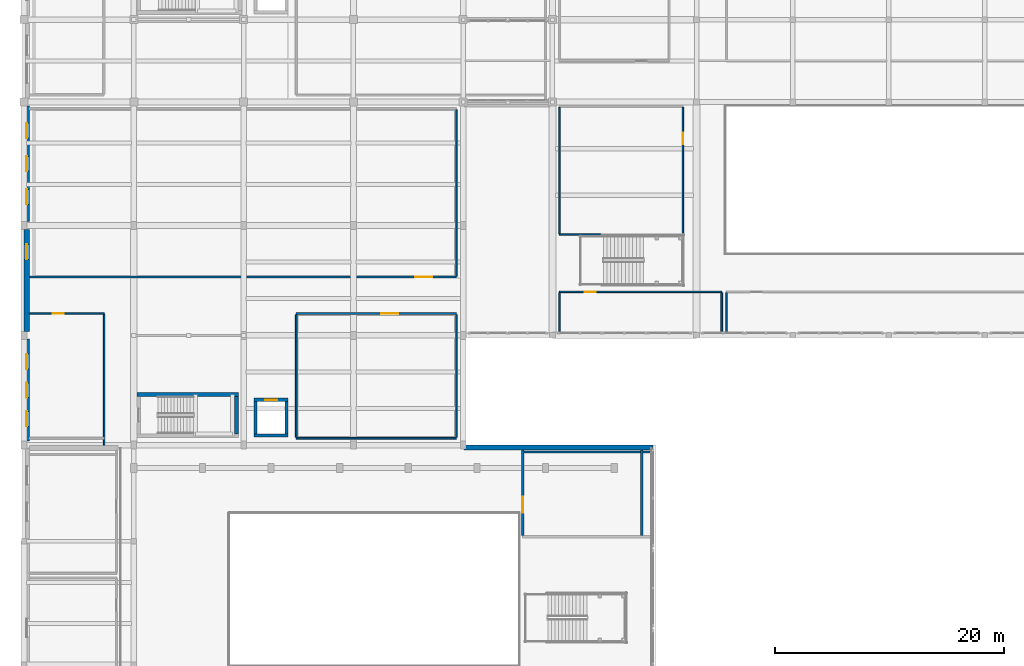
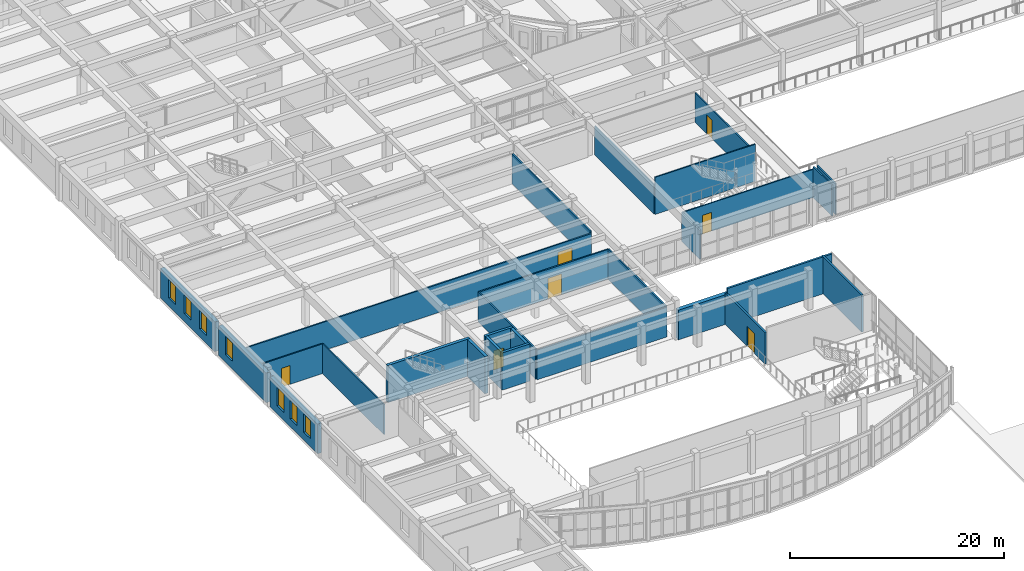
# One storey, part 64 of 92: 28 walls, 7 doors, 7 windows, 14 openings.
"""IFC4 building model written with IfcOpenShell, lengths in metres."""

from ifc_helpers import new_model, si_unit, direction, frame, frame_2d, origin, place, context, subcontext, project, spatial, rectangle, extrude, material, layer, layer_set, type_object, element, fill, save


model = new_model("IFC4")

# Units and contexts
model_context = context("Model", 3, precision=1e-05, world=origin(), true_north=direction((0.0, 1.0)))
body_context = subcontext(model_context, "Body", "Model", "MODEL_VIEW")
ifc_project = project(units=[si_unit("LENGTHUNIT", "METRE"), si_unit("AREAUNIT", "SQUARE_METRE"), si_unit("VOLUMEUNIT", "CUBIC_METRE"), si_unit("PLANEANGLEUNIT", "RADIAN"), si_unit("MASSUNIT", "GRAM", prefix="KILO")], contexts=[model_context])

# Site, building, storey
site_placement = place(None, origin())
site = spatial("IfcSite", under=ifc_project, at=site_placement, CompositionType="ELEMENT")
building_placement = place(site_placement, origin())
building = spatial("IfcBuilding", under=site, at=building_placement, Name="Tarnavel Promenade Courthouse", CompositionType="ELEMENT")
storey_placement = place(building_placement, frame((0.0, 0.0, 5.39990234375)))
storey = spatial("IfcBuildingStorey", under=building, at=storey_placement, Name="L02", CompositionType="ELEMENT", Elevation=5.39990234375)

# Wall, opening, door
ifc_material_1 = material(Name="Acoustic Insulated Gypsum Stud Partition", Category="gypsum")
ifc_layer_1 = layer(ifc_material_1, 0.14990234375)
ifc_layer_set_1 = layer_set([ifc_layer_1], Name="Acoustic Insulated Gypsum Stud Partition")
wall_type_1 = type_object("IfcWallType", Name="Acoustic Insulated Gypsum Stud Partition WL-LIB-150 (150 mm)", PredefinedType="PARTITIONING", material=ifc_layer_set_1)
wall_1_placement = place(storey_placement, frame((37.800048828125, 51.89990234375, 0.0), z_axis=(0.0, 0.0, 1.0), x_axis=(-1.0, 0.0, 0.0)))
wall_1 = element("IfcWall", 1, at=wall_1_placement, inside=storey, type_object=wall_type_1, Name="L02 Law Library Reading Room Main Salon Partition 0299", PredefinedType="PARTITIONING", context=body_context, shape_type="SweptSolid", body=[
    extrude(rectangle(XDim=37.345947265625, YDim=0.14990234375, at=frame_2d((18.6728515625, 0.0))), origin(), (0.0, 0.0, 1.0), 3.22998046875),
])
opening_1_placement = place(wall_1_placement, frame((2.107421875, 0.0, 0.0)))
opening_1 = element("IfcOpeningElement", 2, at=opening_1_placement, cuts=wall_1, Name="Opening ID-05", PredefinedType="OPENING", context=body_context, shape_type="SweptSolid", body=[
    extrude(rectangle(XDim=1.5, YDim=2.35009765625, at=frame_2d((0.75, 1.175048828125))), frame((0.0, 0.0849609375, 0.0), z_axis=(0.0, -1.0, 0.0), x_axis=(1.0, 0.0, 0.0)), (0.0, 0.0, 1.0), 0.169921875),
])
ifc_material_2 = material(Name="Glazed Oak Law Library Double Door")
door_type_1 = type_object("IfcDoorType", Name="Glazed Oak Law Library Double Door (DR-LIB-1500x2350)", OperationType="NOTDEFINED", PredefinedType="DOOR", material=ifc_material_2)
door_1_placement = place(opening_1_placement, origin())
door_1 = element("IfcDoor", 3, at=door_1_placement, inside=storey, type_object=door_type_1, Name="L02 Law Library Reading Room Main Salon Door 0085", OperationType="DOUBLE_DOOR_SINGLE_SWING", OverallHeight=2.35009765625, OverallWidth=1.5, PredefinedType="DOOR", context=body_context, shape_type="SweptSolid", body=[
    extrude(rectangle(XDim=1.5, YDim=2.35009765625, at=frame_2d((0.75, 1.175048828125))), frame((0.0, 0.02490234375, 0.0), z_axis=(0.0, -1.0, 0.0), x_axis=(1.0, 0.0, 0.0)), (0.0, 0.0, 1.0), 0.050048828125),
])
fill(opening_1, door_1)

# Wall
wall_2_placement = place(storey_placement, frame((37.800048828125, 66.514892578125, 0.0), z_axis=(0.0, 0.0, 1.0), x_axis=(0.0, -1.0, 0.0)))
element("IfcWall", 4, at=wall_2_placement, inside=storey, type_object=wall_type_1, Name="L02 Law Library Reading Room Main Salon Partition 0300", PredefinedType="PARTITIONING", context=body_context, shape_type="SweptSolid", body=[
    extrude(rectangle(XDim=14.52978515625, YDim=0.14990234375, at=frame_2d((7.264892578125, 0.0))), origin(), (0.0, 0.0, 1.0), 3.43017578125),
])

# Wall, opening, door
wall_3_placement = place(storey_placement, frame((23.800048828125, 48.699951171875, 0.0), z_axis=(0.0, 0.0, 1.0), x_axis=(1.0, 0.0, 0.0)))
wall_3 = element("IfcWall", 5, at=wall_3_placement, inside=storey, type_object=wall_type_1, Name="L02 Law Library Book Stacks Statutes Collection Partition 0304", PredefinedType="PARTITIONING", context=body_context, shape_type="SweptSolid", body=[
    extrude(rectangle(XDim=14.0, YDim=0.14990234375, at=frame_2d((7.0, 0.0))), origin(), (0.0, 0.0, 1.0), 3.380126953125),
])
opening_2_placement = place(wall_3_placement, frame((7.429931640625, 0.0, 0.0)))
opening_2 = element("IfcOpeningElement", 6, at=opening_2_placement, cuts=wall_3, Name="Opening ID-05", PredefinedType="OPENING", context=body_context, shape_type="SweptSolid", body=[
    extrude(rectangle(XDim=1.5, YDim=2.35009765625, at=frame_2d((0.75, 1.175048828125))), frame((0.0, 0.0849609375, 0.0), z_axis=(0.0, -1.0, 0.0), x_axis=(1.0, 0.0, 0.0)), (0.0, 0.0, 1.0), 0.169921875),
])
door_2_placement = place(opening_2_placement, origin())
door_2 = element("IfcDoor", 7, at=door_2_placement, inside=storey, type_object=door_type_1, Name="L02 Law Library Book Stacks Statutes Collection Door 0087", OperationType="DOUBLE_DOOR_SINGLE_SWING", OverallHeight=2.35009765625, OverallWidth=1.5, PredefinedType="DOOR", context=body_context, shape_type="SweptSolid", body=[
    extrude(rectangle(XDim=1.5, YDim=2.35009765625, at=frame_2d((0.75, 1.175048828125))), frame((0.0, 0.02490234375, 0.0), z_axis=(0.0, -1.0, 0.0), x_axis=(1.0, 0.0, 0.0)), (0.0, 0.0, 1.0), 0.050048828125),
])
fill(opening_2, door_2)

# Walls
wall_4_placement = place(storey_placement, frame((37.800048828125, 37.800048828125, 0.0), z_axis=(0.0, 0.0, 1.0), x_axis=(-1.0, 0.0, 0.0)))
element("IfcWall", 8, at=wall_4_placement, inside=storey, type_object=wall_type_1, Name="L02 Law Library Book Stacks Statutes Collection Partition 0305", PredefinedType="PARTITIONING", context=body_context, shape_type="SweptSolid", body=[
    extrude(rectangle(XDim=14.0, YDim=0.14990234375, at=frame_2d((7.0, 0.0))), origin(), (0.0, 0.0, 1.0), 3.380126953125),
])
for number, where, z_axis, x_axis, name in (
    (9, (23.800048828125, 37.885009765625, 0.0), (0.0, 0.0, 1.0), (0.0, 1.0, 0.0), "L02 Law Library Book Stacks Statutes Collection Partition 0306"),
    (10, (37.800048828125, 48.614990234375, 0.0), (0.0, 0.0, 1.0), (0.0, -1.0, 0.0), "L02 Law Library Book Stacks Statutes Collection Partition 0307"),
):
    element("IfcWall", number, at=place(storey_placement, frame(where, z_axis=z_axis, x_axis=x_axis)), inside=storey, type_object=wall_type_1, Name=name, PredefinedType="PARTITIONING", context=body_context, shape_type="SweptSolid", body=[
        extrude(rectangle(XDim=10.72998046875, YDim=0.14990234375, at=frame_2d((5.364990234375, 0.0))), origin(), (0.0, 0.0, 1.0), 3.43017578125),
    ])

# Wall, opening, door
ifc_material_3 = material(Name="Concrete C40/50", Category="concrete")
ifc_layer_2 = layer(ifc_material_3, 0.280029296875)
ifc_layer_set_2 = layer_set([ifc_layer_2], Name="Concrete C40/50")
wall_type_2 = type_object("IfcWallType", Name="Concrete C40/50 WL-SHR-280 (280 mm)", PredefinedType="SHEAR", material=ifc_layer_set_2)
wall_5_placement = place(storey_placement, frame((20.10009765625, 41.159912109375, 0.0), z_axis=(0.0, 0.0, 1.0), x_axis=(1.0, 0.0, 0.0)))
wall_5 = element("IfcWall", 11, at=wall_5_placement, inside=storey, type_object=wall_type_2, Name="L02 L-LIB1 Lift Shaft North Wall", PredefinedType="SHEAR", context=body_context, shape_type="SweptSolid", body=[
    extrude(rectangle(XDim=3.0, YDim=0.280029296875, at=frame_2d((1.5, 0.0))), origin(), (0.0, 0.0, 1.0), 4.239990234375),
])
opening_3_placement = place(wall_5_placement, frame((0.97509765625, 0.0, 0.0)))
opening_3 = element("IfcOpeningElement", 12, at=opening_3_placement, cuts=wall_5, Name="Opening LD-02", PredefinedType="OPENING", context=body_context, shape_type="SweptSolid", body=[
    extrude(rectangle(XDim=1.050048828125, YDim=2.199951171875, at=frame_2d((0.52490234375, 1.10009765625))), frame((0.0, 0.14990234375, 0.0), z_axis=(0.0, -1.0, 0.0), x_axis=(1.0, 0.0, 0.0)), (0.0, 0.0, 1.0), 0.300048828125),
])
ifc_material_4 = material(Name="Brushed Bronze Passenger Lift Landing Sliding Door")
door_type_2 = type_object("IfcDoorType", Name="Brushed Bronze Passenger Lift Landing Sliding Door (LD-PUB-1050x2200)", OperationType="NOTDEFINED", PredefinedType="DOOR", material=ifc_material_4)
door_3_placement = place(opening_3_placement, origin())
door_3 = element("IfcDoor", 13, at=door_3_placement, inside=storey, type_object=door_type_2, Name="L02 L-LIB1 Lift Sliding Landing Door", OperationType="DOUBLE_DOOR_SLIDING", OverallHeight=2.199951171875, OverallWidth=1.050048828125, PredefinedType="DOOR", context=body_context, shape_type="SweptSolid", body=[
    extrude(rectangle(XDim=1.050048828125, YDim=2.199951171875, at=frame_2d((0.52490234375, 1.10009765625))), frame((0.0, 0.02490234375, 0.0), z_axis=(0.0, -1.0, 0.0), x_axis=(1.0, 0.0, 0.0)), (0.0, 0.0, 1.0), 0.050048828125),
])
fill(opening_3, door_3)

# Walls
wall_6_placement = place(storey_placement, frame((23.10009765625, 38.0400390625, 0.0), z_axis=(0.0, 0.0, 1.0), x_axis=(-1.0, 0.0, 0.0)))
element("IfcWall", 14, at=wall_6_placement, inside=storey, type_object=wall_type_2, Name="L02 L-LIB1 Lift Shaft South Wall", PredefinedType="SHEAR", context=body_context, shape_type="SweptSolid", body=[
    extrude(rectangle(XDim=3.0, YDim=0.280029296875, at=frame_2d((1.5, 0.0))), origin(), (0.0, 0.0, 1.0), 4.239990234375),
])
for number, where, z_axis, x_axis, name in (
    (15, (20.239990234375, 38.179931640625, 0.0), (0.0, 0.0, 1.0), (0.0, 1.0, 0.0), "L02 L-LIB1 Lift Shaft West Wall"),
    (16, (22.9599609375, 41.02001953125, 0.0), (0.0, 0.0, 1.0), (0.0, -1.0, 0.0), "L02 L-LIB1 Lift Shaft East Wall"),
):
    element("IfcWall", number, at=place(storey_placement, frame(where, z_axis=z_axis, x_axis=x_axis)), inside=storey, type_object=wall_type_2, Name=name, PredefinedType="SHEAR", context=body_context, shape_type="SweptSolid", body=[
        extrude(rectangle(XDim=2.840087890625, YDim=0.280029296875, at=frame_2d((1.419921875, 0.0))), origin(), (0.0, 0.0, 1.0), 4.239990234375),
    ])
ifc_layer_3 = layer(ifc_material_3, 0.320068359375)
ifc_layer_set_3 = layer_set([ifc_layer_3], Name="Concrete C40/50")
wall_type_3 = type_object("IfcWallType", Name="Concrete C40/50 WL-SHR-320 (320 mm)", PredefinedType="SHEAR", material=ifc_layer_set_3)
wall_7_placement = place(storey_placement, frame((9.860107421875, 41.6201171875, 0.0), z_axis=(0.0, 0.0, 1.0), x_axis=(1.0, 0.0, 0.0)))
element("IfcWall", 17, at=wall_7_placement, inside=storey, type_object=wall_type_3, Name="L02 ST-05 Shear Core North Wall", PredefinedType="SHEAR", context=body_context, shape_type="SweptSolid", body=[
    extrude(rectangle(XDim=8.8798828125, YDim=0.320068359375, at=frame_2d((4.43994140625, 0.0))), origin(), (0.0, 0.0, 1.0), 4.239990234375),
])
wall_8_placement = place(storey_placement, frame((18.580078125, 41.4599609375, 0.0), z_axis=(0.0, 0.0, 1.0), x_axis=(0.0, -1.0, 0.0)))
element("IfcWall", 18, at=wall_8_placement, inside=storey, type_object=wall_type_3, Name="L02 ST-05 Shear Core East Wall", PredefinedType="SHEAR", context=body_context, shape_type="SweptSolid", body=[
    extrude(rectangle(XDim=3.280029296875, YDim=0.320068359375, at=frame_2d((1.64013671875, 0.0))), origin(), (0.0, 0.0, 1.0), 4.239990234375),
])
ifc_material_5 = material(Name="Concrete Masonry Fire Compartment Wall", Category="masonry")
ifc_layer_4 = layer(ifc_material_5, 0.205078125)
ifc_layer_set_4 = layer_set([ifc_layer_4], Name="Concrete Masonry Fire Compartment Wall")
wall_type_4 = type_object("IfcWallType", Name="Concrete Masonry Fire Compartment Wall WL-CMP-205 (205 mm)", PredefinedType="STANDARD", material=ifc_layer_set_4)
wall_9_placement = place(storey_placement, frame((43.60009765625, 36.60009765625, 0.0), z_axis=(0.0, 0.0, 1.0), x_axis=(1.0, 0.0, 0.0)))
element("IfcWall", 19, at=wall_9_placement, inside=storey, type_object=wall_type_4, Name="L02 First Balcony Judicial Archives Reference Room Partition 0308", PredefinedType="STANDARD", context=body_context, shape_type="SweptSolid", body=[
    extrude(rectangle(XDim=11.289794921875, YDim=0.205078125, at=frame_2d((5.64501953125, 0.0))), origin(), (0.0, 0.0, 1.0), 4.22509765625),
])

# Wall, opening, door
wall_10_placement = place(storey_placement, frame((43.60009765625, 29.3125, 0.0), z_axis=(0.0, 0.0, 1.0), x_axis=(0.0, 1.0, 0.0)))
wall_10 = element("IfcWall", 20, at=wall_10_placement, inside=storey, type_object=wall_type_4, Name="L02 First Balcony Judicial Archives Reference Room Partition 0310", PredefinedType="STANDARD", context=body_context, shape_type="SweptSolid", body=[
    extrude(rectangle(XDim=7.45361328125, YDim=0.205078125, at=frame_2d((3.726806640625, 0.0))), origin(), (0.0, 0.0, 1.0), 3.570068359375),
])
opening_4_placement = place(wall_10_placement, frame((1.9560546875, 0.0, 0.0)))
opening_4 = element("IfcOpeningElement", 21, at=opening_4_placement, cuts=wall_10, Name="Opening FD-04", PredefinedType="OPENING", context=body_context, shape_type="SweptSolid", body=[
    extrude(rectangle(XDim=1.39990234375, YDim=2.25, at=frame_2d((0.699951171875, 1.125))), frame((0.0, 0.112548828125, 0.0), z_axis=(0.0, -1.0, 0.0), x_axis=(1.0, 0.0, 0.0)), (0.0, 0.0, 1.0), 0.22509765625),
])
ifc_material_6 = material(Name="Heavy Steel Plant Room Fire Door", Category="steel")
door_type_3 = type_object("IfcDoorType", Name="Heavy Steel Plant Room Fire Door (DR-PLT-1400x2250)", OperationType="NOTDEFINED", PredefinedType="DOOR", material=ifc_material_6)
door_4_placement = place(opening_4_placement, origin())
door_4 = element("IfcDoor", 22, at=door_4_placement, inside=storey, type_object=door_type_3, Name="L02 First Balcony Judicial Archives Reference Room Door 0088", OperationType="SINGLE_SWING_LEFT", OverallHeight=2.25, OverallWidth=1.39990234375, PredefinedType="DOOR", context=body_context, shape_type="SweptSolid", body=[
    extrude(rectangle(XDim=1.39990234375, YDim=2.25, at=frame_2d((0.699951171875, 1.125))), frame((0.0, 0.02490234375, 0.0), z_axis=(0.0, -1.0, 0.0), x_axis=(1.0, 0.0, 0.0)), (0.0, 0.0, 1.0), 0.050048828125),
])
fill(opening_4, door_4)

# Wall
wall_11_placement = place(storey_placement, frame((54.0, 36.76611328125, 0.0), z_axis=(0.0, 0.0, 1.0), x_axis=(0.0, -1.0, 0.0)))
element("IfcWall", 23, at=wall_11_placement, inside=storey, type_object=wall_type_4, Name="L02 First Balcony Judicial Archives Reference Room Partition 0311", PredefinedType="STANDARD", context=body_context, shape_type="SweptSolid", body=[
    extrude(rectangle(XDim=7.45361328125, YDim=0.205078125, at=frame_2d((3.726806640625, 0.0))), origin(), (0.0, 0.0, 1.0), 4.22509765625),
])

# Wall, openings, windows
ifc_material_7 = material(Name="Limestone Ashlar Faced Insulated Brick Masonry", Category="masonry")
ifc_layer_5 = layer(ifc_material_7, 0.43994140625)
ifc_layer_set_5 = layer_set([ifc_layer_5], Name="Limestone Ashlar Faced Insulated Brick Masonry")
wall_type_5 = type_object("IfcWallType", Name="Limestone Ashlar Faced Insulated Brick Masonry WL-EXT-440 (440 mm)", PredefinedType="STANDARD", material=ifc_layer_set_5)
wall_12_placement = place(storey_placement, frame((0.239990234375, 37.5419921875, 0.0), z_axis=(0.0, 0.0, 1.0), x_axis=(0.0, 1.0, 0.0)))
wall_12 = element("IfcWall", 24, at=wall_12_placement, inside=storey, type_object=wall_type_5, Name="L02 Law Library West Brick Facade 0340", PredefinedType="STANDARD", context=body_context, shape_type="SweptSolid", body=[
    extrude(rectangle(XDim=8.916015625, YDim=0.43994140625, at=frame_2d((4.4580078125, 0.0))), origin(), (0.0, 0.0, 1.0), 3.380126953125),
])
opening_5_placement = place(wall_12_placement, frame((1.30810546875, 0.0, 0.89990234375)))
opening_5 = element("IfcOpeningElement", 25, at=opening_5_placement, cuts=wall_12, Name="Opening W-06", PredefinedType="OPENING", context=body_context, shape_type="SweptSolid", body=[
    extrude(rectangle(XDim=1.300048828125, YDim=2.10009765625, at=frame_2d((0.64990234375, 1.050048828125))), frame((0.0, 0.22998046875, 0.0), z_axis=(0.0, -1.0, 0.0), x_axis=(1.0, 0.0, 0.0)), (0.0, 0.0, 1.0), 0.4599609375),
])
opening_6_placement = place(wall_12_placement, frame((3.80810546875, 0.0, 0.89990234375)))
opening_6 = element("IfcOpeningElement", 26, at=opening_6_placement, cuts=wall_12, Name="Opening W-06", PredefinedType="OPENING", context=body_context, shape_type="SweptSolid", body=[
    extrude(rectangle(XDim=1.300048828125, YDim=2.10009765625, at=frame_2d((0.64990234375, 1.050048828125))), frame((0.0, 0.22998046875, 0.0), z_axis=(0.0, -1.0, 0.0), x_axis=(1.0, 0.0, 0.0)), (0.0, 0.0, 1.0), 0.4599609375),
])
opening_7_placement = place(wall_12_placement, frame((6.30810546875, 0.0, 0.89990234375)))
opening_7 = element("IfcOpeningElement", 27, at=opening_7_placement, cuts=wall_12, Name="Opening W-06", PredefinedType="OPENING", context=body_context, shape_type="SweptSolid", body=[
    extrude(rectangle(XDim=1.300048828125, YDim=2.10009765625, at=frame_2d((0.64990234375, 1.050048828125))), frame((0.0, 0.22998046875, 0.0), z_axis=(0.0, -1.0, 0.0), x_axis=(1.0, 0.0, 0.0)), (0.0, 0.0, 1.0), 0.4599609375),
])
ifc_material_8 = material(Name="Triple Low-E Glazed Bronze-Clad Window Assembly")
window_type = type_object("IfcWindowType", Name="Triple-Glazed Bronze-Clad Timber-Aluminium WIN-LIB-1300x2100", PartitioningType="SINGLE_PANEL", PredefinedType="WINDOW", material=ifc_material_8)
window_1_placement = place(opening_5_placement, origin())
window_1 = element("IfcWindow", 28, at=window_1_placement, inside=storey, type_object=window_type, Name="L02 Exterior Window 0393", OverallHeight=2.10009765625, OverallWidth=1.300048828125, PartitioningType="SINGLE_PANEL", PredefinedType="WINDOW", context=body_context, shape_type="SweptSolid", body=[
    extrude(rectangle(XDim=1.300048828125, YDim=2.10009765625, at=frame_2d((0.64990234375, 1.050048828125))), frame((0.0, 0.030029296875, 0.0), z_axis=(0.0, -1.0, 0.0), x_axis=(1.0, 0.0, 0.0)), (0.0, 0.0, 1.0), 0.06005859375),
])
fill(opening_5, window_1)
window_2_placement = place(opening_6_placement, origin())
window_2 = element("IfcWindow", 29, at=window_2_placement, inside=storey, type_object=window_type, Name="L02 Exterior Window 0394", OverallHeight=2.10009765625, OverallWidth=1.300048828125, PartitioningType="SINGLE_PANEL", PredefinedType="WINDOW", context=body_context, shape_type="SweptSolid", body=[
    extrude(rectangle(XDim=1.300048828125, YDim=2.10009765625, at=frame_2d((0.64990234375, 1.050048828125))), frame((0.0, 0.030029296875, 0.0), z_axis=(0.0, -1.0, 0.0), x_axis=(1.0, 0.0, 0.0)), (0.0, 0.0, 1.0), 0.06005859375),
])
fill(opening_6, window_2)
window_3_placement = place(opening_7_placement, origin())
window_3 = element("IfcWindow", 30, at=window_3_placement, inside=storey, type_object=window_type, Name="L02 Exterior Window 0395", OverallHeight=2.10009765625, OverallWidth=1.300048828125, PartitioningType="SINGLE_PANEL", PredefinedType="WINDOW", context=body_context, shape_type="SweptSolid", body=[
    extrude(rectangle(XDim=1.300048828125, YDim=2.10009765625, at=frame_2d((0.64990234375, 1.050048828125))), frame((0.0, 0.030029296875, 0.0), z_axis=(0.0, -1.0, 0.0), x_axis=(1.0, 0.0, 0.0)), (0.0, 0.0, 1.0), 0.06005859375),
])
fill(opening_7, window_3)

# Wall, opening, window
wall_13_placement = place(storey_placement, frame((0.239990234375, 47.14208984375, 0.0), z_axis=(0.0, 0.0, 1.0), x_axis=(0.0, 1.0, 0.0)))
wall_13 = element("IfcWall", 31, at=wall_13_placement, inside=storey, type_object=wall_type_5, Name="L02 Law Library West Brick Facade 0341", PredefinedType="STANDARD", context=body_context, shape_type="SweptSolid", body=[
    extrude(rectangle(XDim=8.916015625, YDim=0.43994140625, at=frame_2d((4.4580078125, 0.0))), origin(), (0.0, 0.0, 1.0), 3.380126953125),
])
opening_8_placement = place(wall_13_placement, frame((6.30810546875, 0.0, 0.89990234375)))
opening_8 = element("IfcOpeningElement", 32, at=opening_8_placement, cuts=wall_13, Name="Opening W-06", PredefinedType="OPENING", context=body_context, shape_type="SweptSolid", body=[
    extrude(rectangle(XDim=1.300048828125, YDim=2.10009765625, at=frame_2d((0.64990234375, 1.050048828125))), frame((0.0, 0.22998046875, 0.0), z_axis=(0.0, -1.0, 0.0), x_axis=(1.0, 0.0, 0.0)), (0.0, 0.0, 1.0), 0.4599609375),
])
window_4_placement = place(opening_8_placement, origin())
window_4 = element("IfcWindow", 33, at=window_4_placement, inside=storey, type_object=window_type, Name="L02 Exterior Window 0396", OverallHeight=2.10009765625, OverallWidth=1.300048828125, PartitioningType="SINGLE_PANEL", PredefinedType="WINDOW", context=body_context, shape_type="SweptSolid", body=[
    extrude(rectangle(XDim=1.300048828125, YDim=2.10009765625, at=frame_2d((0.64990234375, 1.050048828125))), frame((0.0, 0.030029296875, 0.0), z_axis=(0.0, -1.0, 0.0), x_axis=(1.0, 0.0, 0.0)), (0.0, 0.0, 1.0), 0.06005859375),
])
fill(opening_8, window_4)

# Wall, openings, windows
wall_14_placement = place(storey_placement, frame((0.239990234375, 56.741943359375, 0.0), z_axis=(0.0, 0.0, 1.0), x_axis=(0.0, 1.0, 0.0)))
wall_14 = element("IfcWall", 34, at=wall_14_placement, inside=storey, type_object=wall_type_5, Name="L02 Law Library West Brick Facade 0342", PredefinedType="STANDARD", context=body_context, shape_type="SweptSolid", body=[
    extrude(rectangle(XDim=10.115966796875, YDim=0.43994140625, at=frame_2d((5.05810546875, 0.0))), origin(), (0.0, 0.0, 1.0), 3.380126953125),
])
opening_9_placement = place(wall_14_placement, frame((1.508056640625, 0.0, 0.89990234375)))
opening_9 = element("IfcOpeningElement", 35, at=opening_9_placement, cuts=wall_14, Name="Opening W-06", PredefinedType="OPENING", context=body_context, shape_type="SweptSolid", body=[
    extrude(rectangle(XDim=1.300048828125, YDim=2.10009765625, at=frame_2d((0.64990234375, 1.050048828125))), frame((0.0, 0.22998046875, 0.0), z_axis=(0.0, -1.0, 0.0), x_axis=(1.0, 0.0, 0.0)), (0.0, 0.0, 1.0), 0.4599609375),
])
opening_10_placement = place(wall_14_placement, frame((4.407958984375, 0.0, 0.89990234375)))
opening_10 = element("IfcOpeningElement", 36, at=opening_10_placement, cuts=wall_14, Name="Opening W-06", PredefinedType="OPENING", context=body_context, shape_type="SweptSolid", body=[
    extrude(rectangle(XDim=1.300048828125, YDim=2.10009765625, at=frame_2d((0.64990234375, 1.050048828125))), frame((0.0, 0.22998046875, 0.0), z_axis=(0.0, -1.0, 0.0), x_axis=(1.0, 0.0, 0.0)), (0.0, 0.0, 1.0), 0.4599609375),
])
opening_11_placement = place(wall_14_placement, frame((7.30810546875, 0.0, 0.89990234375)))
opening_11 = element("IfcOpeningElement", 37, at=opening_11_placement, cuts=wall_14, Name="Opening W-06", PredefinedType="OPENING", context=body_context, shape_type="SweptSolid", body=[
    extrude(rectangle(XDim=1.300048828125, YDim=2.10009765625, at=frame_2d((0.64990234375, 1.050048828125))), frame((0.0, 0.22998046875, 0.0), z_axis=(0.0, -1.0, 0.0), x_axis=(1.0, 0.0, 0.0)), (0.0, 0.0, 1.0), 0.4599609375),
])
window_5_placement = place(opening_9_placement, origin())
window_5 = element("IfcWindow", 38, at=window_5_placement, inside=storey, type_object=window_type, Name="L02 Exterior Window 0397", OverallHeight=2.10009765625, OverallWidth=1.300048828125, PartitioningType="SINGLE_PANEL", PredefinedType="WINDOW", context=body_context, shape_type="SweptSolid", body=[
    extrude(rectangle(XDim=1.300048828125, YDim=2.10009765625, at=frame_2d((0.64990234375, 1.050048828125))), frame((0.0, 0.030029296875, 0.0), z_axis=(0.0, -1.0, 0.0), x_axis=(1.0, 0.0, 0.0)), (0.0, 0.0, 1.0), 0.06005859375),
])
fill(opening_9, window_5)
window_6_placement = place(opening_10_placement, origin())
window_6 = element("IfcWindow", 39, at=window_6_placement, inside=storey, type_object=window_type, Name="L02 Exterior Window 0398", OverallHeight=2.10009765625, OverallWidth=1.300048828125, PartitioningType="SINGLE_PANEL", PredefinedType="WINDOW", context=body_context, shape_type="SweptSolid", body=[
    extrude(rectangle(XDim=1.300048828125, YDim=2.10009765625, at=frame_2d((0.64990234375, 1.050048828125))), frame((0.0, 0.030029296875, 0.0), z_axis=(0.0, -1.0, 0.0), x_axis=(1.0, 0.0, 0.0)), (0.0, 0.0, 1.0), 0.06005859375),
])
fill(opening_10, window_6)
window_7_placement = place(opening_11_placement, origin())
window_7 = element("IfcWindow", 40, at=window_7_placement, inside=storey, type_object=window_type, Name="L02 Exterior Window 0399", OverallHeight=2.10009765625, OverallWidth=1.300048828125, PartitioningType="SINGLE_PANEL", PredefinedType="WINDOW", context=body_context, shape_type="SweptSolid", body=[
    extrude(rectangle(XDim=1.300048828125, YDim=2.10009765625, at=frame_2d((0.64990234375, 1.050048828125))), frame((0.0, 0.030029296875, 0.0), z_axis=(0.0, -1.0, 0.0), x_axis=(1.0, 0.0, 0.0)), (0.0, 0.0, 1.0), 0.06005859375),
])
fill(opening_11, window_7)

# Wall
wall_15_placement = place(storey_placement, frame((38.449951171875, 36.97998046875, 0.0), z_axis=(0.0, 0.0, 1.0), x_axis=(1.0, 0.0, 0.0)))
element("IfcWall", 41, at=wall_15_placement, inside=storey, type_object=wall_type_5, Name="L02 Public Drum North-East Courtyard Wall 0437", PredefinedType="STANDARD", context=body_context, shape_type="SweptSolid", body=[
    extrude(rectangle(XDim=16.550048828125, YDim=0.43994140625, at=frame_2d((8.27490234375, 0.0))), origin(), (0.0, 0.0, 1.0), 3.380126953125),
])

# Wall, opening, door
ifc_material_9 = material(Name="Metal-Stud Acoustic Gypsum Partition", Category="gypsum")
ifc_layer_6 = layer(ifc_material_9, 0.135009765625)
ifc_layer_set_6 = layer_set([ifc_layer_6], Name="Metal-Stud Acoustic Gypsum Partition")
wall_type_6 = type_object("IfcWallType", Name="Metal-Stud Acoustic Gypsum Partition WL-OFF-135 (135 mm)", PredefinedType="PARTITIONING", material=ifc_layer_set_6)
wall_16_placement = place(storey_placement, frame((0.4541015625, 48.699951171875, 0.0), z_axis=(0.0, 0.0, 1.0), x_axis=(1.0, 0.0, 0.0)))
wall_16 = element("IfcWall", 42, at=wall_16_placement, inside=storey, type_object=wall_type_6, Name="L02 L02 Legal Scholars' Study Carrels Partition 0301", PredefinedType="PARTITIONING", context=body_context, shape_type="SweptSolid", body=[
    extrude(rectangle(XDim=6.5458984375, YDim=0.135009765625, at=frame_2d((3.27294921875, 0.0))), origin(), (0.0, 0.0, 1.0), 3.380126953125),
])
opening_12_placement = place(wall_16_placement, frame((2.063720703125, 0.0, 0.0)))
opening_12 = element("IfcOpeningElement", 43, at=opening_12_placement, cuts=wall_16, Name="Opening ID-06", PredefinedType="OPENING", context=body_context, shape_type="SweptSolid", body=[
    extrude(rectangle(XDim=0.949951171875, YDim=2.14990234375, at=frame_2d((0.47509765625, 1.074951171875))), frame((0.0, 0.077392578125, 0.0), z_axis=(0.0, -1.0, 0.0), x_axis=(1.0, 0.0, 0.0)), (0.0, 0.0, 1.0), 0.155029296875),
])
ifc_material_10 = material(Name="Acoustic Timber Veneer Office Door", Category="wood")
door_type_4 = type_object("IfcDoorType", Name="Acoustic Timber Veneer Office Door (DR-OFF-0950x2150)", OperationType="NOTDEFINED", PredefinedType="DOOR", material=ifc_material_10)
door_5_placement = place(opening_12_placement, origin())
door_5 = element("IfcDoor", 44, at=door_5_placement, inside=storey, type_object=door_type_4, Name="L02 L02 Legal Scholars' Study Carrels Door 0086", OperationType="SINGLE_SWING_RIGHT", OverallHeight=2.14990234375, OverallWidth=0.949951171875, PredefinedType="DOOR", context=body_context, shape_type="SweptSolid", body=[
    extrude(rectangle(XDim=0.949951171875, YDim=2.14990234375, at=frame_2d((0.47509765625, 1.074951171875))), frame((0.0, 0.02490234375, 0.0), z_axis=(0.0, -1.0, 0.0), x_axis=(1.0, 0.0, 0.0)), (0.0, 0.0, 1.0), 0.050048828125),
])
fill(opening_12, door_5)

# Wall
wall_17_placement = place(storey_placement, frame((7.0, 48.62255859375, 0.0), z_axis=(0.0, 0.0, 1.0), x_axis=(0.0, -1.0, 0.0)))
element("IfcWall", 45, at=wall_17_placement, inside=storey, type_object=wall_type_6, Name="L02 L02 Legal Scholars' Study Carrels Partition 0303", PredefinedType="PARTITIONING", context=body_context, shape_type="SweptSolid", body=[
    extrude(rectangle(XDim=11.448486328125, YDim=0.135009765625, at=frame_2d((5.72412109375, 0.0))), origin(), (0.0, 0.0, 1.0), 3.43017578125),
])

# Wall, opening, door
wall_18_placement = place(storey_placement, frame((46.800048828125, 50.60009765625, 0.0), z_axis=(0.0, 0.0, 1.0), x_axis=(1.0, 0.0, 0.0)))
wall_18 = element("IfcWall", 46, at=wall_18_placement, inside=storey, type_object=wall_type_6, Name="L02 First Balcony Civil Registry Suite Partition 0324", PredefinedType="PARTITIONING", context=body_context, shape_type="SweptSolid", body=[
    extrude(rectangle(XDim=14.199951171875, YDim=0.135009765625, at=frame_2d((7.10009765625, 0.0))), origin(), (0.0, 0.0, 1.0), 3.22998046875),
])
opening_13_placement = place(wall_18_placement, frame((2.232421875, 0.0, 0.0)))
opening_13 = element("IfcOpeningElement", 47, at=opening_13_placement, cuts=wall_18, Name="Opening ID-06", PredefinedType="OPENING", context=body_context, shape_type="SweptSolid", body=[
    extrude(rectangle(XDim=0.949951171875, YDim=2.14990234375, at=frame_2d((0.47509765625, 1.074951171875))), frame((0.0, 0.077392578125, 0.0), z_axis=(0.0, -1.0, 0.0), x_axis=(1.0, 0.0, 0.0)), (0.0, 0.0, 1.0), 0.155029296875),
])
door_6_placement = place(opening_13_placement, origin())
door_6 = element("IfcDoor", 48, at=door_6_placement, inside=storey, type_object=door_type_4, Name="L02 First Balcony Civil Registry Suite Door 0093", OperationType="SINGLE_SWING_LEFT", OverallHeight=2.14990234375, OverallWidth=0.949951171875, PredefinedType="DOOR", context=body_context, shape_type="SweptSolid", body=[
    extrude(rectangle(XDim=0.949951171875, YDim=2.14990234375, at=frame_2d((0.47509765625, 1.074951171875))), frame((0.0, 0.02490234375, 0.0), z_axis=(0.0, -1.0, 0.0), x_axis=(1.0, 0.0, 0.0)), (0.0, 0.0, 1.0), 0.050048828125),
])
fill(opening_13, door_6)

# Walls
wall_19_placement = place(storey_placement, frame((46.800048828125, 47.090087890625, 0.0), z_axis=(0.0, 0.0, 1.0), x_axis=(0.0, 1.0, 0.0)))
element("IfcWall", 49, at=wall_19_placement, inside=storey, type_object=wall_type_6, Name="L02 First Balcony Civil Registry Suite Partition 0325", PredefinedType="PARTITIONING", context=body_context, shape_type="SweptSolid", body=[
    extrude(rectangle(XDim=3.432373046875, YDim=0.135009765625, at=frame_2d((1.71630859375, 0.0))), origin(), (0.0, 0.0, 1.0), 3.330078125),
])
for number, where, z_axis, x_axis, name in (
    (50, (61.0, 50.5224609375, 0.0), (0.0, 0.0, 1.0), (0.0, -1.0, 0.0), "L02 First Balcony Civil Registry Suite Partition 0326"),
    (51, (61.39990234375, 47.090087890625, 0.0), (0.0, 0.0, 1.0), (0.0, 1.0, 0.0), "L02 First Balcony Community Seminar and Exhibition Room Partition 0328"),
):
    element("IfcWall", number, at=place(storey_placement, frame(where, z_axis=z_axis, x_axis=x_axis)), inside=storey, type_object=wall_type_6, Name=name, PredefinedType="PARTITIONING", context=body_context, shape_type="SweptSolid", body=[
        extrude(rectangle(XDim=3.432373046875, YDim=0.135009765625, at=frame_2d((1.71630859375, 0.0))), origin(), (0.0, 0.0, 1.0), 3.530029296875),
    ])
wall_20_placement = place(storey_placement, frame((57.60009765625, 55.60009765625, 0.0), z_axis=(0.0, 0.0, 1.0), x_axis=(-1.0, 0.0, 0.0)))
element("IfcWall", 52, at=wall_20_placement, inside=storey, type_object=wall_type_6, Name="L02 First Balcony Judicial Mediation and Case Conference Salon Partition 0339", PredefinedType="PARTITIONING", context=body_context, shape_type="SweptSolid", body=[
    extrude(rectangle(XDim=10.800048828125, YDim=0.135009765625, at=frame_2d((5.39990234375, 0.0))), origin(), (0.0, 0.0, 1.0), 4.22509765625),
])
wall_21_placement = place(storey_placement, frame((46.800048828125, 55.677490234375, 0.0), z_axis=(0.0, 0.0, 1.0), x_axis=(0.0, 1.0, 0.0)))
element("IfcWall", 53, at=wall_21_placement, inside=storey, type_object=wall_type_6, Name="L02 First Balcony Judicial Mediation and Case Conference Salon Partition 0340", PredefinedType="PARTITIONING", context=body_context, shape_type="SweptSolid", body=[
    extrude(rectangle(XDim=11.044921875, YDim=0.135009765625, at=frame_2d((5.5224609375, 0.0))), origin(), (0.0, 0.0, 1.0), 3.330078125),
])

# Wall, opening, door
wall_22_placement = place(storey_placement, frame((57.60009765625, 66.722412109375, 0.0), z_axis=(0.0, 0.0, 1.0), x_axis=(0.0, -1.0, 0.0)))
wall_22 = element("IfcWall", 54, at=wall_22_placement, inside=storey, type_object=wall_type_6, Name="L02 First Balcony Judicial Mediation and Case Conference Salon Partition 0341", PredefinedType="PARTITIONING", context=body_context, shape_type="SweptSolid", body=[
    extrude(rectangle(XDim=11.044921875, YDim=0.135009765625, at=frame_2d((5.5224609375, 0.0))), origin(), (0.0, 0.0, 1.0), 3.330078125),
])
opening_14_placement = place(wall_22_placement, frame((2.215087890625, 0.0, 0.0)))
opening_14 = element("IfcOpeningElement", 55, at=opening_14_placement, cuts=wall_22, Name="Opening ID-07", PredefinedType="OPENING", context=body_context, shape_type="SweptSolid", body=[
    extrude(rectangle(XDim=1.02001953125, YDim=2.14990234375, at=frame_2d((0.510009765625, 1.074951171875))), frame((0.0, 0.077392578125, 0.0), z_axis=(0.0, -1.0, 0.0), x_axis=(1.0, 0.0, 0.0)), (0.0, 0.0, 1.0), 0.155029296875),
])
ifc_material_11 = material(Name="Acoustic Timber Seminar Room Door", Category="wood")
door_type_5 = type_object("IfcDoorType", Name="Acoustic Timber Seminar Room Door (DR-MTG-1020x2150)", OperationType="NOTDEFINED", PredefinedType="DOOR", material=ifc_material_11)
door_7_placement = place(opening_14_placement, origin())
door_7 = element("IfcDoor", 56, at=door_7_placement, inside=storey, type_object=door_type_5, Name="L02 First Balcony Judicial Mediation and Case Conference Salon Door 0097", OperationType="SINGLE_SWING_LEFT", OverallHeight=2.14990234375, OverallWidth=1.02001953125, PredefinedType="DOOR", context=body_context, shape_type="SweptSolid", body=[
    extrude(rectangle(XDim=1.02001953125, YDim=2.14990234375, at=frame_2d((0.510009765625, 1.074951171875))), frame((0.0, 0.02490234375, 0.0), z_axis=(0.0, -1.0, 0.0), x_axis=(1.0, 0.0, 0.0)), (0.0, 0.0, 1.0), 0.050048828125),
])
fill(opening_14, door_7)

save(model, "model.ifc")
